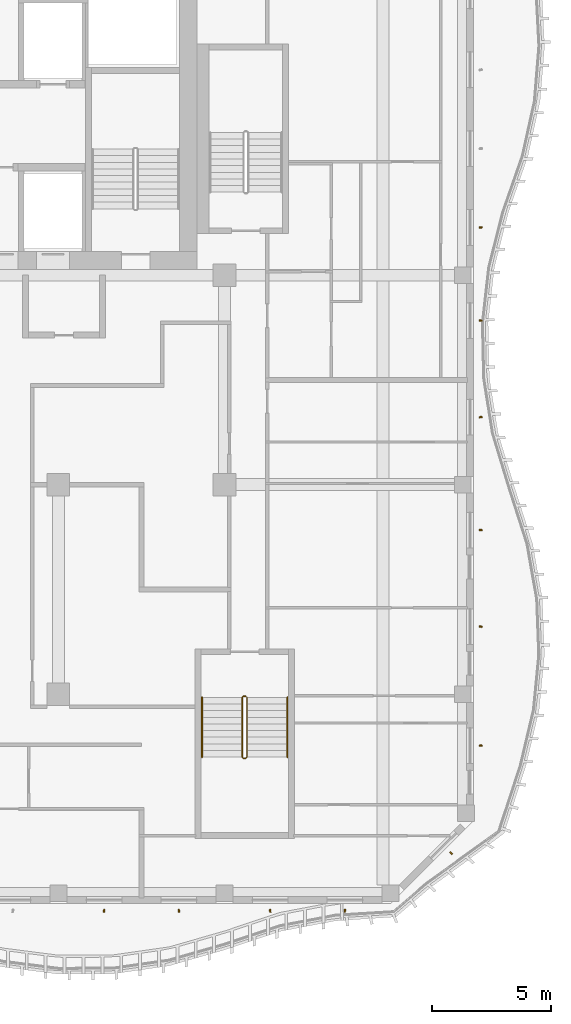
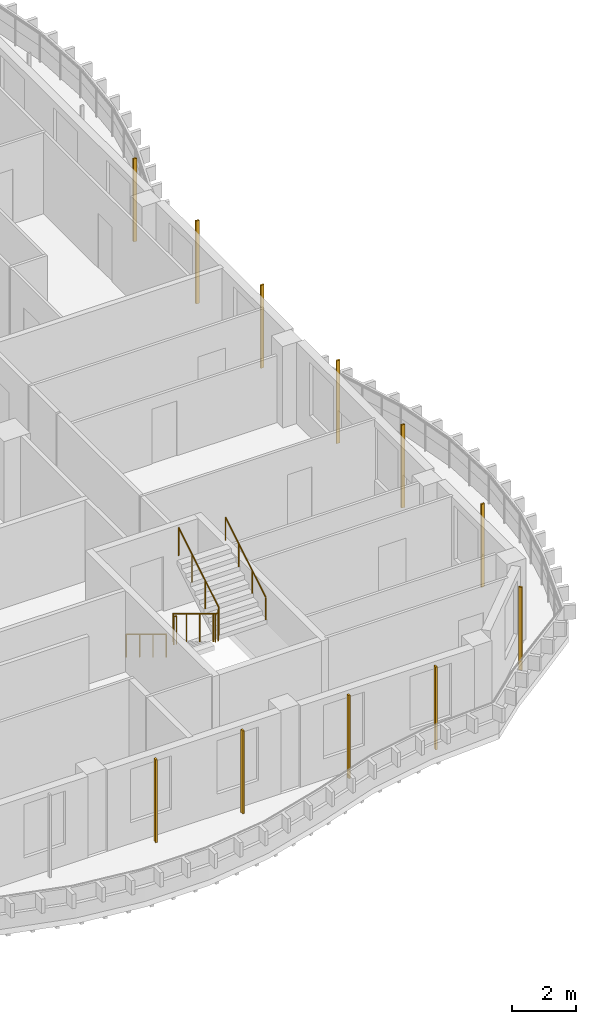
# One storey, part 16 of 18: 11 shading devices, 3 railings.
"""IFC4 building model written with IfcOpenShell, lengths in metres."""

from ifc_helpers import new_model, si_unit, direction, frame, origin, origin_2d, place, context, subcontext, project, spatial, rectangle, circle, extrude, source, transform, mapped, material, material_profile, profile_set, type_object, element, save


model = new_model("IFC4")

# Units and contexts
model_context = context("Model", 3, precision=1e-05, world=origin(), true_north=direction((0.0, 1.0)))
body_context = subcontext(model_context, "Body", "Model", "MODEL_VIEW")
ifc_project = project(units=[si_unit("LENGTHUNIT", "METRE"), si_unit("AREAUNIT", "SQUARE_METRE"), si_unit("VOLUMEUNIT", "CUBIC_METRE"), si_unit("PLANEANGLEUNIT", "RADIAN"), si_unit("MASSUNIT", "GRAM", prefix="KILO")], contexts=[model_context])

# Site, building, storey
site_placement = place(None, origin())
site = spatial("IfcSite", under=ifc_project, at=site_placement, CompositionType="ELEMENT")
building_placement = place(site_placement, origin())
building = spatial("IfcBuilding", under=site, at=building_placement, Name="Kilnfold Tower and Market Hall", CompositionType="ELEMENT")
storey_placement = place(building_placement, frame((0.0, 0.0, 249.199951171875)))
storey = spatial("IfcBuildingStorey", under=building, at=storey_placement, Name="L60", CompositionType="ELEMENT", Elevation=249.199951171875)

# Railings
ifc_material_1 = material(Name="Stainless steel 316", Category="steel")
railing_type_1 = type_object("IfcRailingType", Name="CORE STAIR GUARD 1100", PredefinedType="GUARDRAIL", material=ifc_material_1)
railing_1_placement = place(storey_placement, frame((19.89990234375, -9.75, 0.0)))
element("IfcRailing", 1, at=railing_1_placement, inside=storey, type_object=railing_type_1, Name="L60 ST4 stair guard 1", PredefinedType="GUARDRAIL", context=body_context, shape_type="SweptSolid", body=[
    extrude(circle(Radius=0.02392578125, at=origin_2d()), frame((0.0, 0.0, 1.076171875), z_axis=(-1.0, 0.0, 0.0), x_axis=(0.0, -1.0, 0.0)), (0.0, 0.0, 1.0), 0.099853515625),
    extrude(circle(Radius=0.02392578125, at=origin_2d()), frame((-0.099853515625, 0.0, 1.076171875), z_axis=(-0.271562723297, -0.271562723297, 0.923313259209), x_axis=(0.707106781187, -0.707106781187, 0.0)), (0.0, 0.0, 1.0), 0.184326171875),
    extrude(circle(Radius=0.02392578125, at=origin_2d()), frame((-0.14990234375, -0.050048828125, 1.24609375), z_axis=(0.0, -0.854821627497, 0.518921945155), x_axis=(1.0, 0.0, 0.0)), (0.0, 0.0, 1.0), 2.947998046875),
    extrude(circle(Radius=0.02392578125, at=origin_2d()), frame((-0.14990234375, -2.570068359375, 2.77587890625), z_axis=(0.707106781187, -0.707106781187, 0.0), x_axis=(0.707106781187, 0.707106781187, 0.0)), (0.0, 0.0, 1.0), 0.07080078125),
    extrude(circle(Radius=0.02392578125, at=origin_2d()), frame((-0.099853515625, -2.6201171875, 2.77587890625), z_axis=(1.0, 0.0, 0.0), x_axis=(0.0, 1.0, 0.0)), (0.0, 0.0, 1.0), 0.099853515625),
    extrude(circle(Radius=0.02392578125, at=origin_2d()), frame((0.0, -2.6201171875, 2.77587890625), z_axis=(0.271562723297, 0.271562723297, 0.923313259209), x_axis=(-0.707106781187, 0.707106781187, 0.0)), (0.0, 0.0, 1.0), 0.184326171875),
    extrude(circle(Radius=0.02392578125, at=origin_2d()), frame((0.050048828125, -2.570068359375, 2.9462890625), z_axis=(0.0, 0.85478489116, 0.518982456201), x_axis=(-1.0, 0.0, 0.0)), (0.0, 0.0, 1.0), 2.9482421875),
    extrude(circle(Radius=0.02099609375, at=origin_2d()), origin(), (0.0, 0.0, 1.0), 1.052001953125),
    extrude(circle(Radius=0.02099609375, at=origin_2d()), frame((-0.099853515625, 0.0, 0.0)), (0.0, 0.0, 1.0), 1.052001953125),
    extrude(circle(Radius=0.02099609375, at=origin_2d()), frame((-0.14990234375, -0.050048828125, 0.170166015625)), (0.0, 0.0, 1.0), 1.052001953125),
    extrude(circle(Radius=0.02099609375, at=origin_2d()), frame((-0.14990234375, -0.89013671875, 0.68017578125)), (0.0, 0.0, 1.0), 1.052001953125),
    extrude(circle(Radius=0.02099609375, at=origin_2d()), frame((-0.14990234375, -1.72998046875, 1.18994140625)), (0.0, 0.0, 1.0), 1.052001953125),
    extrude(circle(Radius=0.02099609375, at=origin_2d()), frame((-0.14990234375, -2.570068359375, 1.699951171875)), (0.0, 0.0, 1.0), 1.052001953125),
    extrude(circle(Radius=0.02099609375, at=origin_2d()), frame((-0.099853515625, -2.6201171875, 1.699951171875)), (0.0, 0.0, 1.0), 1.052001953125),
    extrude(circle(Radius=0.02099609375, at=origin_2d()), frame((0.0, -2.6201171875, 1.699951171875)), (0.0, 0.0, 1.0), 1.052001953125),
    extrude(circle(Radius=0.02099609375, at=origin_2d()), frame((0.050048828125, -2.570068359375, 1.8701171875)), (0.0, 0.0, 1.0), 1.052001953125),
    extrude(circle(Radius=0.02099609375, at=origin_2d()), frame((0.050048828125, -1.72998046875, 2.380126953125)), (0.0, 0.0, 1.0), 1.052001953125),
    extrude(circle(Radius=0.02099609375, at=origin_2d()), frame((0.050048828125, -0.89013671875, 2.89013671875)), (0.0, 0.0, 1.0), 1.052001953125),
    extrude(circle(Radius=0.02099609375, at=origin_2d()), frame((0.050048828125, -0.050048828125, 3.400146484375)), (0.0, 0.0, 1.0), 1.052001953125),
])
ifc_material_2 = material(Name="Stainless steel 316", Category="steel")
railing_type_2 = type_object("IfcRailingType", Name="CORE STAIR HANDRAIL 900", PredefinedType="HANDRAIL", material=ifc_material_2)
railing_2_placement = place(storey_placement, frame((18.050048828125, -9.800048828125, 0.170166015625)))
element("IfcRailing", 2, at=railing_2_placement, inside=storey, type_object=railing_type_2, Name="L60 ST4 stair handrail 1", PredefinedType="HANDRAIL", context=body_context, shape_type="SweptSolid", body=[
    extrude(circle(Radius=0.02392578125, at=origin_2d()), frame((0.0, 0.0, 0.8759765625), z_axis=(0.0, -0.854821627497, 0.518921945155), x_axis=(1.0, 0.0, 0.0)), (0.0, 0.0, 1.0), 2.947998046875),
    extrude(circle(Radius=0.02099609375, at=origin_2d()), origin(), (0.0, 0.0, 1.0), 0.851806640625),
    extrude(circle(Radius=0.02099609375, at=origin_2d()), frame((0.0, -0.840087890625, 0.510009765625)), (0.0, 0.0, 1.0), 0.851806640625),
    extrude(circle(Radius=0.02099609375, at=origin_2d()), frame((0.0, -1.679931640625, 1.019775390625)), (0.0, 0.0, 1.0), 0.851806640625),
    extrude(circle(Radius=0.02099609375, at=origin_2d()), frame((0.0, -2.52001953125, 1.52978515625)), (0.0, 0.0, 1.0), 0.851806640625),
])
railing_3_placement = place(storey_placement, frame((21.64990234375, -12.320068359375, 1.8701171875)))
element("IfcRailing", 3, at=railing_3_placement, inside=storey, type_object=railing_type_2, Name="L60 ST4 stair handrail 2", PredefinedType="HANDRAIL", context=body_context, shape_type="SweptSolid", body=[
    extrude(circle(Radius=0.02392578125, at=origin_2d()), frame((0.0, 0.0, 0.8759765625), z_axis=(0.0, 0.85478489116, 0.518982456201), x_axis=(-1.0, 0.0, 0.0)), (0.0, 0.0, 1.0), 2.9482421875),
    extrude(circle(Radius=0.02099609375, at=origin_2d()), origin(), (0.0, 0.0, 1.0), 0.851806640625),
    extrude(circle(Radius=0.02099609375, at=origin_2d()), frame((0.0, 0.840087890625, 0.510009765625)), (0.0, 0.0, 1.0), 0.851806640625),
    extrude(circle(Radius=0.02099609375, at=origin_2d()), frame((0.0, 1.679931640625, 1.02001953125)), (0.0, 0.0, 1.0), 0.851806640625),
    extrude(circle(Radius=0.02099609375, at=origin_2d()), frame((0.0, 2.52001953125, 1.530029296875)), (0.0, 0.0, 1.0), 0.851806640625),
])

# Shading devices
ifc_material_3 = material(Name="Terracotta", Category="masonry")
ifc_material_profile = material_profile(ifc_material_3, rectangle(XDim=0.06005859375, YDim=0.1201171875, at=origin_2d()), Name="BAG 60x120")
ifc_profile_set = profile_set([ifc_material_profile], Name="Terracotta")
shading_device_type = type_object("IfcShadingDeviceType", Name="BAGUETTE", PredefinedType="USERDEFINED", material=ifc_profile_set)
shared_shape = source(origin(), body_context, "Body", "SweptSolid", [
    extrude(rectangle(XDim=0.06005859375, YDim=0.1201171875, at=origin_2d()), origin(), (0.0, 0.0, 1.0), 3.179931640625),
])
for number, where, z_axis, x_axis, name in (
    (4, (13.925048828125, -18.800048828125, 0.0), (0.0, 0.0, 1.0), (0.994429378608, -0.105404985471, 0.0), "Terracotta baguette L60 S"),
    (5, (17.074951171875, -18.800048828125, 0.0), (0.0, 0.0, 1.0), (0.997285254215, 0.073635057724, 0.0), "Terracotta baguette L60 S"),
    (6, (20.925048828125, -18.800048828125, 0.0), (0.0, 0.0, 1.0), (0.994429378608, 0.105404985471, 0.0), "Terracotta baguette L60 S"),
    (7, (24.074951171875, -18.800048828125, 0.0), (0.0, 0.0, 1.0), (0.997285254215, -0.073635057724, 0.0), "Terracotta baguette L60 S"),
    (8, (28.554931640625, -16.369384765625, 0.0), (0.0, 0.0, 1.0), (0.729683890213, 0.683784630101, 0.0), "Terracotta baguette L60 SE"),
    (9, (29.800048828125, -11.831787109375, 0.0), (0.0, 0.0, 1.0), (-0.130740758479, 0.991416589569, 0.0), "Terracotta baguette L60 E"),
    (10, (29.800048828125, -6.816650390625, 0.0), (0.0, 0.0, 1.0), (0.119480123685, 0.992836592821, 0.0), "Terracotta baguette L60 E"),
    (11, (29.800048828125, -2.75, 0.0), (0.0, 0.0, 1.0), (0.039320855114, 0.999226636131, 0.0), "Terracotta baguette L60 E"),
    (12, (29.800048828125, 2.0166015625, 0.0), (0.0, 0.0, 1.0), (-0.133673122592, 0.991025477118, 0.0), "Terracotta baguette L60 E"),
    (13, (29.800048828125, 6.083251953125, 0.0), (0.0, 0.0, 1.0), (0.071394733062, 0.997448140051, 0.0), "Terracotta baguette L60 E"),
    (14, (29.800048828125, 10.012451171875, 0.0), (0.0, 0.0, 1.0), (0.103872320204, 0.99459063996, 0.0), "Terracotta baguette L60 E"),
):
    element("IfcShadingDevice", number, at=place(storey_placement, frame(where, z_axis=z_axis, x_axis=x_axis)), inside=storey, type_object=shading_device_type, Name=name, ObjectType="BAGUETTE", PredefinedType="USERDEFINED", context=body_context, shape_type="MappedRepresentation", body=[
        mapped(shared_shape, transform((0.0, 0.0, 0.0))),
    ])

save(model, "model.ifc")
